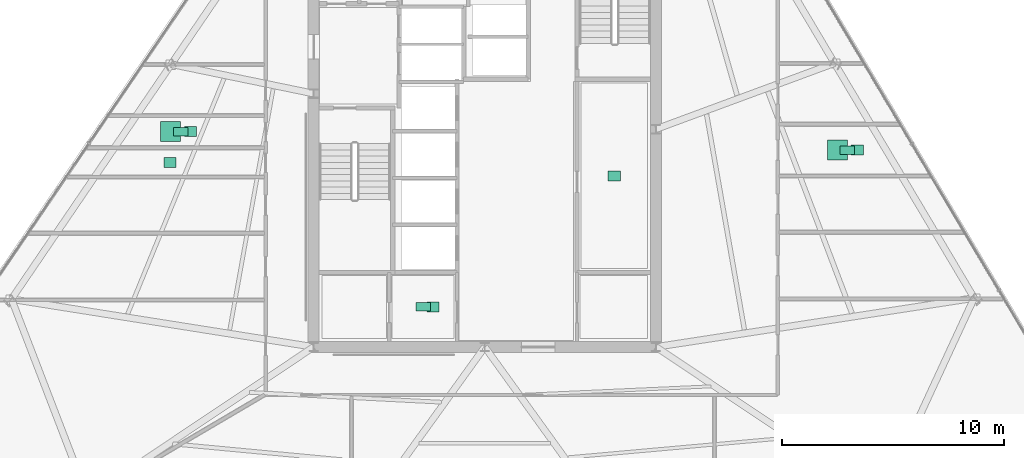
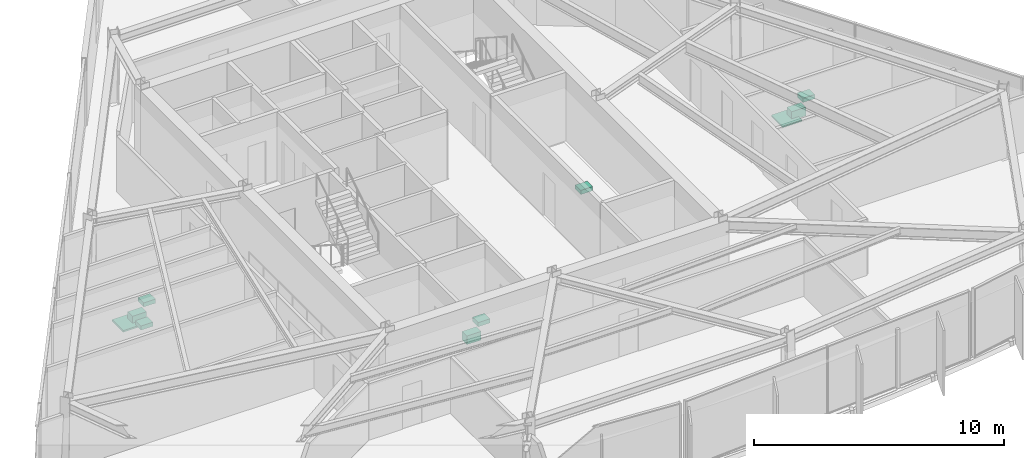
# One storey, part 16 of 16: 10 sanitary terminals.
"""IFC4 building model written with IfcOpenShell, lengths in metres."""

from ifc_helpers import new_model, si_unit, direction, frame, origin, origin_2d, place, context, subcontext, project, spatial, rectangle, extrude, material, type_object, element, save


model = new_model("IFC4")

# Units and contexts
model_context = context("Model", 3, precision=1e-05, world=origin(), true_north=direction((0.0, 1.0)))
body_context = subcontext(model_context, "Body", "Model", "MODEL_VIEW")
ifc_project = project(units=[si_unit("LENGTHUNIT", "METRE"), si_unit("AREAUNIT", "SQUARE_METRE"), si_unit("VOLUMEUNIT", "CUBIC_METRE"), si_unit("PLANEANGLEUNIT", "RADIAN"), si_unit("MASSUNIT", "GRAM", prefix="KILO")], contexts=[model_context])

# Site, building, storey
site_placement = place(None, origin())
site = spatial("IfcSite", under=ifc_project, at=site_placement, CompositionType="ELEMENT")
building_placement = place(site_placement, origin())
building = spatial("IfcBuilding", under=site, at=building_placement, Name="Savorim Split Tower", CompositionType="ELEMENT")
storey_placement = place(building_placement, frame((0.0, 0.0, 149.39990234375)))
storey = spatial("IfcBuildingStorey", under=building, at=storey_placement, Name="L39", CompositionType="ELEMENT", Elevation=149.39990234375)

# Sanitary terminals
ifc_material = material(Name="Vitreous China Sanitaryware")
sanitary_terminal_type_1 = type_object("IfcSanitaryTerminalType", Name="SAN-SHW-900", PredefinedType="SHOWER", material=ifc_material)
for number, where, z_axis, x_axis, name in (
    (1, (-14.13671875, 0.28759765625, 0.0), (0.0, 0.0, 1.0), (1.0, 0.0, 0.0), "L39 Shared Bathroom Shower"),
    (2, (15.860595703125, -0.5458984375, 0.0), (0.0, 0.0, 1.0), (1.0, 0.0, 0.0), "L39 Shared Bathroom Shower"),
):
    element("IfcSanitaryTerminal", number, at=place(storey_placement, frame(where, z_axis=z_axis, x_axis=x_axis)), inside=storey, type_object=sanitary_terminal_type_1, Name=name, PredefinedType="SHOWER", context=body_context, shape_type="SweptSolid", body=[
        extrude(rectangle(XDim=0.89990234375, YDim=0.89990234375, at=origin_2d()), origin(), (0.0, 0.0, 1.0), 0.080078125),
    ])
sanitary_terminal_type_2 = type_object("IfcSanitaryTerminalType", Name="SAN-WC-PAN", PredefinedType="TOILETPAN", material=ifc_material)
for number, where, z_axis, x_axis, name in (
    (3, (-2.77490234375, -7.60009765625, 0.000244140625), (0.0, 0.0, 1.0), (1.0, 0.0, 0.0), "L39 Accessible WC WC Pan"),
    (4, (-13.686767578125, 0.28759765625, 0.000244140625), (0.0, 0.0, 1.0), (1.0, 0.0, 0.0), "L39 Shared Bathroom WC Pan"),
    (5, (16.310546875, -0.5458984375, 0.000244140625), (0.0, 0.0, 1.0), (1.0, 0.0, 0.0), "L39 Shared Bathroom WC Pan"),
):
    element("IfcSanitaryTerminal", number, at=place(storey_placement, frame(where, z_axis=z_axis, x_axis=x_axis)), inside=storey, type_object=sanitary_terminal_type_2, Name=name, PredefinedType="TOILETPAN", context=body_context, shape_type="SweptSolid", body=[
        extrude(rectangle(XDim=0.64990234375, YDim=0.3798828125, at=origin_2d()), origin(), (0.0, 0.0, 1.0), 0.419921875),
    ])
sanitary_terminal_type_3 = type_object("IfcSanitaryTerminalType", Name="SAN-WHB-550", PredefinedType="WASHHANDBASIN", material=ifc_material)
for number, where, z_axis, x_axis, name in (
    (6, (5.824951171875, -1.699951171875, 0.75), (0.0, 0.0, 1.0), (1.0, 0.0, 0.0), "L39 Community Laundry Room Utility Sink"),
    (7, (-2.324951171875, -7.60009765625, 0.72021484375), (0.0, 0.0, 1.0), (1.0, 0.0, 0.0), "L39 Accessible WC Washhand Basin"),
    (8, (-13.23681640625, 0.28759765625, 0.72021484375), (0.0, 0.0, 1.0), (1.0, 0.0, 0.0), "L39 Shared Bathroom Washhand Basin"),
    (9, (-14.156982421875, -1.0947265625, 0.75), (0.0, 0.0, 1.0), (1.0, 0.0, 0.0), "L39 Shared Kitchen Utility Sink"),
    (10, (16.760498046875, -0.5458984375, 0.72021484375), (0.0, 0.0, 1.0), (1.0, 0.0, 0.0), "L39 Shared Bathroom Washhand Basin"),
):
    element("IfcSanitaryTerminal", number, at=place(storey_placement, frame(where, z_axis=z_axis, x_axis=x_axis)), inside=storey, type_object=sanitary_terminal_type_3, Name=name, PredefinedType="WASHHANDBASIN", context=body_context, shape_type="SweptSolid", body=[
        extrude(rectangle(XDim=0.550048828125, YDim=0.449951171875, at=origin_2d()), origin(), (0.0, 0.0, 1.0), 0.199951171875),
    ])

save(model, "model.ifc")
